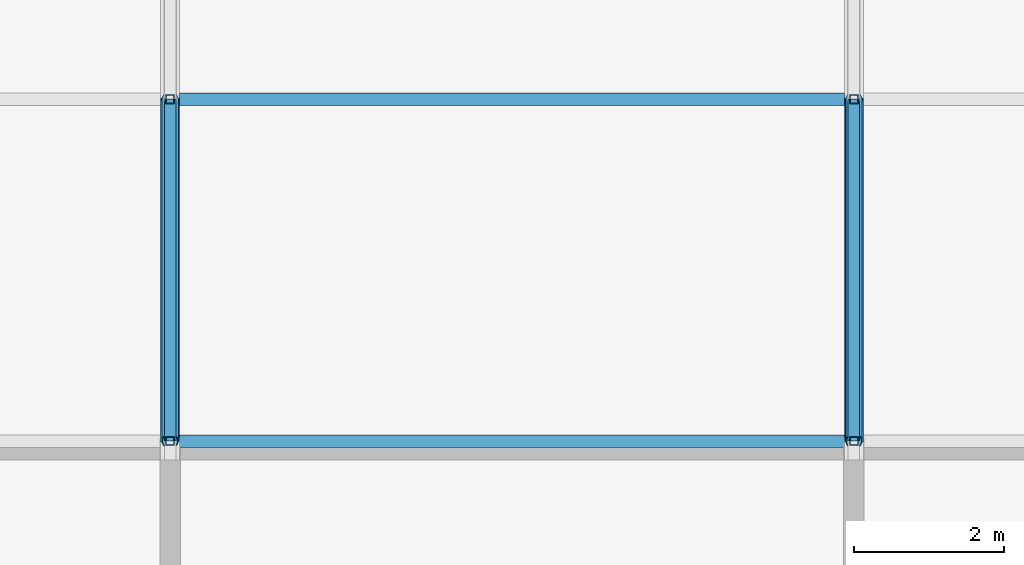
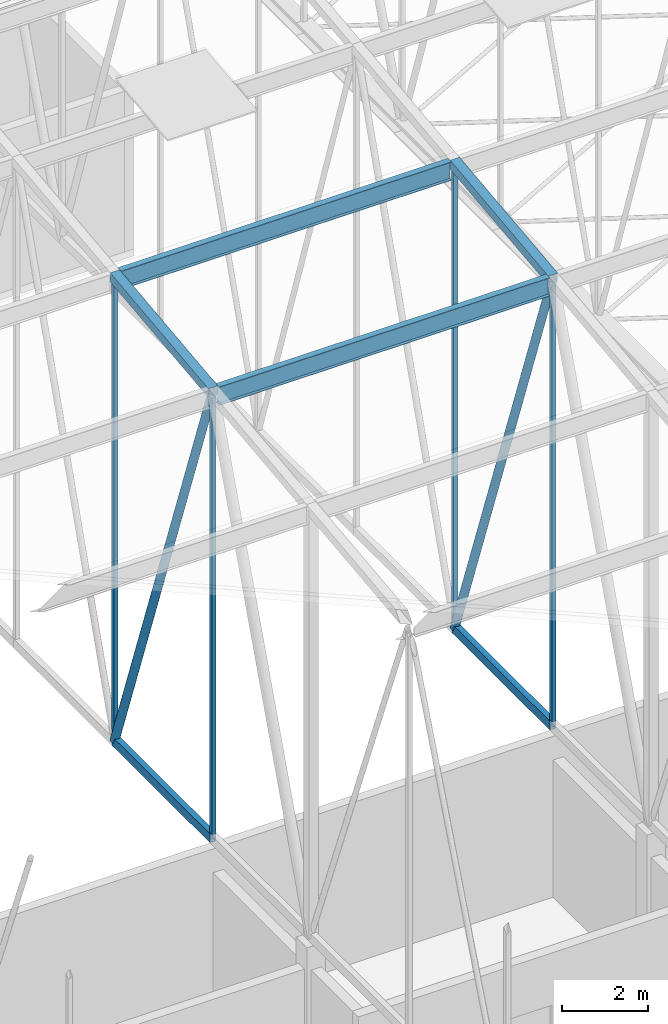
# One storey, part 84 of 500: 12 members.
"""IFC4 building model written with IfcOpenShell, lengths in metres."""

from ifc_helpers import new_model, si_unit, direction, frame, origin, origin_2d, place, context, subcontext, project, spatial, hollow_rectangle, hollow_circle, i_section, extrude, material, material_profile, profile_set, type_object, element, save


model = new_model("IFC4")

# Units and contexts
model_context = context("Model", 3, precision=1e-05, world=origin(), true_north=direction((0.0, 1.0)))
body_context = subcontext(model_context, "Body", "Model", "MODEL_VIEW")
ifc_project = project(units=[si_unit("LENGTHUNIT", "METRE"), si_unit("AREAUNIT", "SQUARE_METRE"), si_unit("VOLUMEUNIT", "CUBIC_METRE"), si_unit("PLANEANGLEUNIT", "RADIAN"), si_unit("MASSUNIT", "GRAM", prefix="KILO")], contexts=[model_context])

# Site, building, storey
site_placement = place(None, origin())
site = spatial("IfcSite", under=ifc_project, at=site_placement, CompositionType="ELEMENT")
building_placement = place(site_placement, origin())
building = spatial("IfcBuilding", under=site, at=building_placement, Name="Shirokan Park Arena", CompositionType="ELEMENT")
storey_placement = place(building_placement, frame((0.0, 0.0, 29.1201171875)))
storey = spatial("IfcBuildingStorey", under=building, at=storey_placement, Name="L06", CompositionType="ELEMENT", Elevation=29.1201171875)

# Members
ifc_material_1 = material(Name="Steel ASTM A500 Grade C", Category="steel")
ifc_material_profile_1 = material_profile(ifc_material_1, hollow_rectangle(XDim=0.152099609375, YDim=0.25390625, WallThickness=0.009521484375, at=origin_2d()), Name="HSS254X152.4X9.5")
ifc_profile_set_1 = profile_set([ifc_material_profile_1], Name="Steel ASTM A500 Grade C")
member_type_1 = type_object("IfcMemberType", Name="Bottom chord HSS254X152.4X9.5", PredefinedType="CHORD", material=ifc_profile_set_1)
for number, where, z_axis, x_axis, name in (
    (1, (27.300048828125, 40.949951171875, 4.677001953125), (0.0, 1.0, 0.0), (-1.0, 0.0, 0.0), "Truss T04 bottom chord 12"),
    (2, (36.39990234375, 40.949951171875, 4.677001953125), (0.0, 1.0, 0.0), (-1.0, 0.0, 0.0), "Truss T05 bottom chord 12"),
):
    element("IfcMember", number, at=place(storey_placement, frame(where, z_axis=z_axis, x_axis=x_axis)), inside=storey, type_object=member_type_1, Name=name, PredefinedType="CHORD", context=body_context, shape_type="SweptSolid", body=[
        extrude(hollow_rectangle(XDim=0.152099609375, YDim=0.25390625, WallThickness=0.009521484375, at=origin_2d()), origin(), (0.0, 0.0, 1.0), 4.550048828125),
    ])
ifc_material_2 = material(Name="Steel ASTM A992", Category="steel")
ifc_material_profile_2 = material_profile(ifc_material_2, i_section(OverallWidth=0.166015625, OverallDepth=0.528076171875, WebThickness=0.009765625, FlangeThickness=0.013671875, at=origin_2d()), Name="W530X74")
ifc_profile_set_2 = profile_set([ifc_material_profile_2], Name="Steel ASTM A992")
member_type_2 = type_object("IfcMemberType", Name="Purlin W530X74", PredefinedType="PURLIN", material=ifc_profile_set_2)
for number, where, z_axis, x_axis, name in (
    (3, (27.427001953125, 40.949951171875, 17.165771484375), (1.0, 0.0, 0.0), (0.0, 1.0, 0.0), "Purlin 12 bay 4"),
    (4, (27.427001953125, 45.5, 17.685791015625), (1.0, 0.0, 0.0), (0.0, 1.0, 0.0), "Purlin 13 bay 4"),
):
    element("IfcMember", number, at=place(storey_placement, frame(where, z_axis=z_axis, x_axis=x_axis)), inside=storey, type_object=member_type_2, Name=name, PredefinedType="PURLIN", context=body_context, shape_type="SweptSolid", body=[
        extrude(i_section(OverallWidth=0.166015625, OverallDepth=0.528076171875, WebThickness=0.009765625, FlangeThickness=0.013671875, at=origin_2d()), origin(), (0.0, 0.0, 1.0), 8.845947265625),
    ])
ifc_material_profile_3 = material_profile(ifc_material_1, hollow_rectangle(XDim=0.25390625, YDim=0.25390625, WallThickness=0.009521484375, at=origin_2d()), Name="HSS254X254X9.5")
ifc_profile_set_3 = profile_set([ifc_material_profile_3], Name="Steel ASTM A500 Grade C")
member_type_3 = type_object("IfcMemberType", Name="Top chord HSS254X254X9.5", PredefinedType="CHORD", material=ifc_profile_set_3)
for number, where, z_axis, x_axis, name in (
    (5, (27.300048828125, 40.949951171875, 17.302978515625), (0.0, 0.993532328996, 0.113549598152), (-1.0, 0.0, 0.0), "Truss T04 top chord 12"),
    (6, (36.39990234375, 40.949951171875, 17.302978515625), (0.0, 0.993532328996, 0.113549598152), (-1.0, 0.0, 0.0), "Truss T05 top chord 12"),
):
    element("IfcMember", number, at=place(storey_placement, frame(where, z_axis=z_axis, x_axis=x_axis)), inside=storey, type_object=member_type_3, Name=name, PredefinedType="CHORD", context=body_context, shape_type="SweptSolid", body=[
        extrude(hollow_rectangle(XDim=0.25390625, YDim=0.25390625, WallThickness=0.009521484375, at=origin_2d()), origin(), (0.0, 0.0, 1.0), 4.57958984375),
    ])
ifc_material_profile_4 = material_profile(ifc_material_1, hollow_circle(Radius=0.109619140625, WallThickness=0.009521484375, at=origin_2d()), Name="HSS219.1X9.5")
ifc_profile_set_4 = profile_set([ifc_material_profile_4], Name="Steel ASTM A500 Grade C")
member_type_4 = type_object("IfcMemberType", Name="Truss diagonal HSS219.1X9.5", PredefinedType="BRACE", material=ifc_profile_set_4)
for number, where, z_axis, x_axis, name in (
    (7, (27.300048828125, 40.949951171875, 17.302978515625), (0.0, 0.339029292845, -0.940775817394), (-1.0, 0.0, 0.0), "Truss T04 diagonal 12"),
    (8, (36.39990234375, 40.949951171875, 17.302978515625), (0.0, 0.339029292845, -0.940775817394), (-1.0, 0.0, 0.0), "Truss T05 diagonal 12"),
):
    element("IfcMember", number, at=place(storey_placement, frame(where, z_axis=z_axis, x_axis=x_axis)), inside=storey, type_object=member_type_4, Name=name, PredefinedType="BRACE", context=body_context, shape_type="SweptSolid", body=[
        extrude(hollow_circle(Radius=0.109619140625, WallThickness=0.009521484375, at=origin_2d()), origin(), (0.0, 0.0, 1.0), 13.4208984375),
    ])
ifc_material_profile_5 = material_profile(ifc_material_1, hollow_rectangle(XDim=0.114013671875, YDim=0.114013671875, WallThickness=0.00634765625, at=origin_2d()), Name="HSS114.3X114.3X6.4")
ifc_profile_set_5 = profile_set([ifc_material_profile_5], Name="Steel ASTM A500 Grade C")
member_type_5 = type_object("IfcMemberType", Name="Truss post HSS114.3X114.3X6.4", PredefinedType="POST", material=ifc_profile_set_5)
member_1_placement = place(storey_placement, frame((27.300048828125, 40.949951171875, 4.677001953125), z_axis=(0.0, 0.0, 1.0), x_axis=(1.0, 0.0, 0.0)))
element("IfcMember", 9, at=member_1_placement, inside=storey, type_object=member_type_5, Name="Truss T04 post 12", PredefinedType="POST", context=body_context, shape_type="SweptSolid", body=[
    extrude(hollow_rectangle(XDim=0.114013671875, YDim=0.114013671875, WallThickness=0.00634765625, at=origin_2d()), origin(), (0.0, 0.0, 1.0), 12.6259765625),
])
member_2_placement = place(storey_placement, frame((27.300048828125, 45.5, 4.677001953125), z_axis=(0.0, 0.0, 1.0), x_axis=(1.0, 0.0, 0.0)))
element("IfcMember", 10, at=member_2_placement, inside=storey, type_object=member_type_5, Name="Truss T04 post 13", PredefinedType="POST", context=body_context, shape_type="SweptSolid", body=[
    extrude(hollow_rectangle(XDim=0.114013671875, YDim=0.114013671875, WallThickness=0.00634765625, at=origin_2d()), origin(), (0.0, 0.0, 1.0), 13.14599609375),
])
member_3_placement = place(storey_placement, frame((36.39990234375, 40.949951171875, 4.677001953125), z_axis=(0.0, 0.0, 1.0), x_axis=(1.0, 0.0, 0.0)))
element("IfcMember", 11, at=member_3_placement, inside=storey, type_object=member_type_5, Name="Truss T05 post 12", PredefinedType="POST", context=body_context, shape_type="SweptSolid", body=[
    extrude(hollow_rectangle(XDim=0.114013671875, YDim=0.114013671875, WallThickness=0.00634765625, at=origin_2d()), origin(), (0.0, 0.0, 1.0), 12.6259765625),
])
member_4_placement = place(storey_placement, frame((36.39990234375, 45.5, 4.677001953125), z_axis=(0.0, 0.0, 1.0), x_axis=(1.0, 0.0, 0.0)))
element("IfcMember", 12, at=member_4_placement, inside=storey, type_object=member_type_5, Name="Truss T05 post 13", PredefinedType="POST", context=body_context, shape_type="SweptSolid", body=[
    extrude(hollow_rectangle(XDim=0.114013671875, YDim=0.114013671875, WallThickness=0.00634765625, at=origin_2d()), origin(), (0.0, 0.0, 1.0), 13.14599609375),
])

save(model, "model.ifc")
